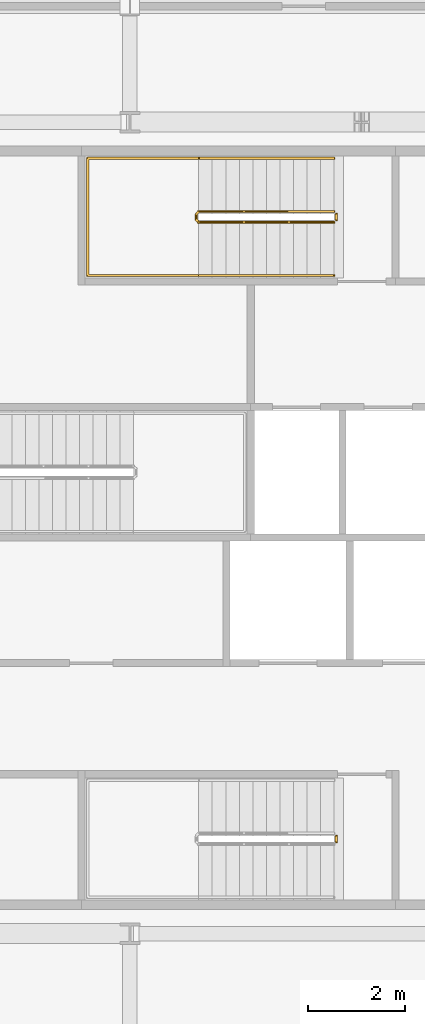
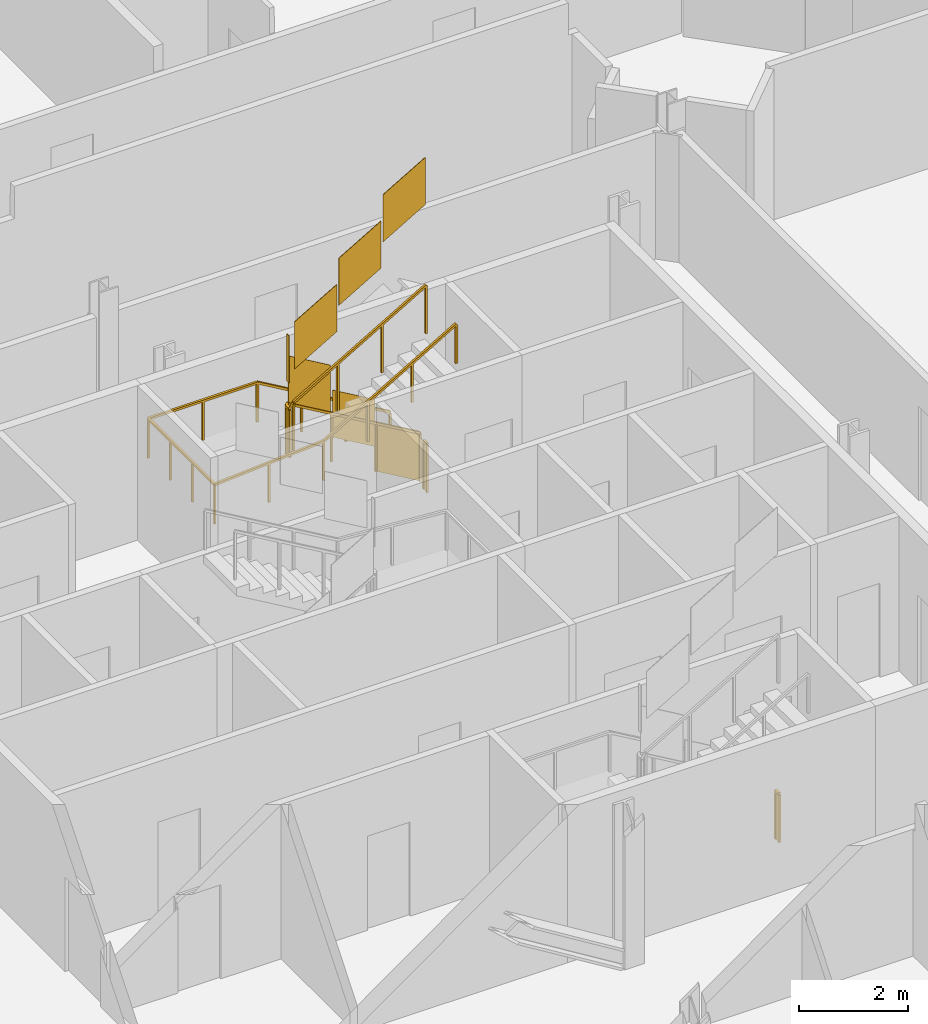
# One storey, part 18 of 20: 4 railings.
"""IFC4 building model written with IfcOpenShell, lengths in metres."""

from ifc_helpers import new_model, si_unit, direction, frame, origin, origin_2d, place, context, subcontext, project, spatial, polyline, rectangle, outline, extrude, material, type_object, element, save


model = new_model("IFC4")

# Units and contexts
model_context = context("Model", 3, precision=1e-05, world=origin(), true_north=direction((0.0, 1.0)))
body_context = subcontext(model_context, "Body", "Model", "MODEL_VIEW")
ifc_project = project(units=[si_unit("LENGTHUNIT", "METRE"), si_unit("AREAUNIT", "SQUARE_METRE"), si_unit("VOLUMEUNIT", "CUBIC_METRE"), si_unit("PLANEANGLEUNIT", "RADIAN"), si_unit("MASSUNIT", "GRAM", prefix="KILO")], contexts=[model_context])

# Site, building, storey
site_placement = place(None, origin())
site = spatial("IfcSite", under=ifc_project, at=site_placement, CompositionType="ELEMENT")
building_placement = place(site_placement, origin())
building = spatial("IfcBuilding", under=site, at=building_placement, Name="Cairn Pilgrim Tower", CompositionType="ELEMENT")
storey_placement = place(building_placement, frame((0.0, 0.0, 165.0)))
storey = spatial("IfcBuildingStorey", under=building, at=storey_placement, Name="L41", CompositionType="ELEMENT", Elevation=165.0)

# Railings
ifc_material = material(Name="Painted steel", Category="steel")
railing_type_1 = type_object("IfcRailingType", Name="STAIR GUARD 1100", PredefinedType="GUARDRAIL", material=ifc_material)
railing_1_placement = place(storey_placement, frame((11.47509765625, -3.97509765625, 0.0)))
element("IfcRailing", 1, at=railing_1_placement, inside=storey, type_object=railing_type_1, Name="L41 ST-A stair guard 2", PredefinedType="GUARDRAIL", context=body_context, shape_type="SweptSolid", body=[
    extrude(rectangle(XDim=0.048095703125, YDim=0.048095703125, at=origin_2d()), frame((0.0, 0.0, 1.076171875), z_axis=(0.0, -1.0, 0.0), x_axis=(1.0, 0.0, 0.0)), (0.0, 0.0, 1.0), 0.125),
    extrude(rectangle(XDim=0.0419921875, YDim=0.0419921875, at=origin_2d()), origin(), (0.0, 0.0, 1.0), 1.052001953125),
    extrude(rectangle(XDim=0.0419921875, YDim=0.0419921875, at=origin_2d()), frame((0.0, -0.125, 0.0)), (0.0, 0.0, 1.0), 1.052001953125),
    extrude(outline(polyline([(0.02099609375, 0.0), (0.10400390625, 0.0), (0.10400390625, 1.052001953125), (0.02099609375, 1.052001953125), (0.02099609375, 0.0)])), frame((0.005859375, 0.0, 0.0), z_axis=(-1.0, 0.0, 0.0), x_axis=(0.0, -1.0, 0.0)), (0.0, 0.0, 1.0), 0.011962890625),
])
railing_2_placement = place(storey_placement, frame((11.425048828125, 8.949951171875, 0.16357421875)))
element("IfcRailing", 2, at=railing_2_placement, inside=storey, type_object=railing_type_1, Name="L41 ST-C stair guard 1", PredefinedType="GUARDRAIL", context=body_context, shape_type="SweptSolid", body=[
    extrude(rectangle(XDim=0.048095703125, YDim=0.048095703125, at=origin_2d()), frame((0.0, 0.0, 1.076171875), z_axis=(-0.863360870873, 0.0, 0.504586966384), x_axis=(0.0, -1.0, 0.0)), (0.0, 0.0, 1.0), 3.2431640625),
    extrude(rectangle(XDim=0.048095703125, YDim=0.048095703125, at=origin_2d()), frame((-2.800048828125, 0.0, 2.71240234375), z_axis=(-0.707106781187, -0.707106781187, 0.0), x_axis=(0.707106781187, -0.707106781187, 0.0)), (0.0, 0.0, 1.0), 0.07080078125),
    extrude(rectangle(XDim=0.048095703125, YDim=0.048095703125, at=origin_2d()), frame((-2.85009765625, -0.050048828125, 2.71240234375), z_axis=(0.0, -1.0, 0.0), x_axis=(1.0, 0.0, 0.0)), (0.0, 0.0, 1.0), 0.125),
    extrude(rectangle(XDim=0.048095703125, YDim=0.048095703125, at=origin_2d()), frame((-2.85009765625, -0.175048828125, 2.71240234375), z_axis=(0.280916556609, -0.279546231943, 0.91811752648), x_axis=(0.705375805398, 0.708833529934, 0.0)), (0.0, 0.0, 1.0), 0.17822265625),
    extrude(rectangle(XDim=0.048095703125, YDim=0.048095703125, at=origin_2d()), frame((-2.800048828125, -0.224853515625, 2.8759765625), z_axis=(0.863360870873, 0.0, 0.504586966384), x_axis=(0.0, 1.0, 0.0)), (0.0, 0.0, 1.0), 3.2431640625),
    extrude(rectangle(XDim=0.0419921875, YDim=0.0419921875, at=origin_2d()), origin(), (0.0, 0.0, 1.0), 1.052001953125),
    extrude(rectangle(XDim=0.0419921875, YDim=0.0419921875, at=origin_2d()), frame((-0.933349609375, 0.0, 0.54541015625)), (0.0, 0.0, 1.0), 1.052001953125),
    extrude(rectangle(XDim=0.0419921875, YDim=0.0419921875, at=origin_2d()), frame((-1.86669921875, 0.0, 1.091064453125)), (0.0, 0.0, 1.0), 1.052001953125),
    extrude(rectangle(XDim=0.0419921875, YDim=0.0419921875, at=origin_2d()), frame((-2.800048828125, 0.0, 1.636474609375)), (0.0, 0.0, 1.0), 1.052001953125),
    extrude(rectangle(XDim=0.0419921875, YDim=0.0419921875, at=origin_2d()), frame((-2.85009765625, -0.050048828125, 1.636474609375)), (0.0, 0.0, 1.0), 1.052001953125),
    extrude(rectangle(XDim=0.0419921875, YDim=0.0419921875, at=origin_2d()), frame((-2.85009765625, -0.175048828125, 1.636474609375)), (0.0, 0.0, 1.0), 1.052001953125),
    extrude(rectangle(XDim=0.0419921875, YDim=0.0419921875, at=origin_2d()), frame((-2.800048828125, -0.224853515625, 1.800048828125)), (0.0, 0.0, 1.0), 1.052001953125),
    extrude(rectangle(XDim=0.0419921875, YDim=0.0419921875, at=origin_2d()), frame((-1.86669921875, -0.224853515625, 2.345458984375)), (0.0, 0.0, 1.0), 1.052001953125),
    extrude(rectangle(XDim=0.0419921875, YDim=0.0419921875, at=origin_2d()), frame((-0.933349609375, -0.224853515625, 2.89111328125)), (0.0, 0.0, 1.0), 1.052001953125),
    extrude(rectangle(XDim=0.0419921875, YDim=0.0419921875, at=origin_2d()), frame((0.0, -0.224853515625, 3.4365234375)), (0.0, 0.0, 1.0), 1.052001953125),
    extrude(outline(polyline([(0.02099609375, 0.01220703125), (0.912353515625, 0.533203125), (0.912353515625, 1.585205078125), (0.02099609375, 1.064208984375), (0.02099609375, 0.01220703125)])), frame((0.0, -0.005859375, 0.0), z_axis=(0.0, 1.0, 0.0), x_axis=(-1.0, 0.0, 0.0)), (0.0, 0.0, 1.0), 0.011962890625),
    extrude(outline(polyline([(0.02099609375, 0.557861328125), (0.912353515625, 1.07861328125), (0.912353515625, 2.130615234375), (0.02099609375, 1.60986328125), (0.02099609375, 0.557861328125)])), frame((-0.933349609375, -0.005859375, 0.54541015625), z_axis=(0.0, 1.0, 0.0), x_axis=(-1.0, 0.0, 0.0)), (0.0, 0.0, 1.0), 0.011962890625),
    extrude(outline(polyline([(0.02099609375, 1.103271484375), (0.912353515625, 1.624267578125), (0.912353515625, 2.67626953125), (0.02099609375, 2.1552734375), (0.02099609375, 1.103271484375)])), frame((-1.86669921875, -0.005859375, 1.091064453125), z_axis=(0.0, 1.0, 0.0), x_axis=(-1.0, 0.0, 0.0)), (0.0, 0.0, 1.0), 0.011962890625),
    extrude(outline(polyline([(0.02099609375, 1.636474609375), (0.10400390625, 1.636474609375), (0.10400390625, 2.6884765625), (0.02099609375, 2.6884765625), (0.02099609375, 1.636474609375)])), frame((-2.84423828125, -0.050048828125, 1.636474609375), z_axis=(-1.0, 0.0, 0.0), x_axis=(0.0, -1.0, 0.0)), (0.0, 0.0, 1.0), 0.011962890625),
    extrude(outline(polyline([(0.02099609375, 1.812255859375), (0.912353515625, 2.333251953125), (0.912353515625, 3.38525390625), (0.02099609375, 2.8642578125), (0.02099609375, 1.812255859375)])), frame((-2.800048828125, -0.21875, 1.800048828125), z_axis=(0.0, -1.0, 0.0), x_axis=(1.0, 0.0, 0.0)), (0.0, 0.0, 1.0), 0.011962890625),
    extrude(outline(polyline([(0.02099609375, 2.35791015625), (0.912353515625, 2.878662109375), (0.912353515625, 3.9306640625), (0.02099609375, 3.409912109375), (0.02099609375, 2.35791015625)])), frame((-1.86669921875, -0.21875, 2.345458984375), z_axis=(0.0, -1.0, 0.0), x_axis=(1.0, 0.0, 0.0)), (0.0, 0.0, 1.0), 0.011962890625),
    extrude(outline(polyline([(0.02099609375, 2.9033203125), (0.912353515625, 3.42431640625), (0.912353515625, 4.476318359375), (0.02099609375, 3.955322265625), (0.02099609375, 2.9033203125)])), frame((-0.933349609375, -0.21875, 2.89111328125), z_axis=(0.0, -1.0, 0.0), x_axis=(1.0, 0.0, 0.0)), (0.0, 0.0, 1.0), 0.011962890625),
])
railing_3_placement = place(storey_placement, frame((11.47509765625, 8.89990234375, 0.0)))
element("IfcRailing", 3, at=railing_3_placement, inside=storey, type_object=railing_type_1, Name="L41 ST-C stair guard 2", PredefinedType="GUARDRAIL", context=body_context, shape_type="SweptSolid", body=[
    extrude(rectangle(XDim=0.048095703125, YDim=0.048095703125, at=origin_2d()), frame((0.0, 0.0, 1.076171875), z_axis=(0.0, -1.0, 0.0), x_axis=(1.0, 0.0, 0.0)), (0.0, 0.0, 1.0), 0.125),
    extrude(rectangle(XDim=0.0419921875, YDim=0.0419921875, at=origin_2d()), origin(), (0.0, 0.0, 1.0), 1.052001953125),
    extrude(rectangle(XDim=0.0419921875, YDim=0.0419921875, at=origin_2d()), frame((0.0, -0.125, 0.0)), (0.0, 0.0, 1.0), 1.052001953125),
    extrude(outline(polyline([(0.02099609375, 0.0), (0.10400390625, 0.0), (0.10400390625, 1.052001953125), (0.02099609375, 1.052001953125), (0.02099609375, 0.0)])), frame((0.005859375, 0.0, 0.0), z_axis=(-1.0, 0.0, 0.0), x_axis=(0.0, -1.0, 0.0)), (0.0, 0.0, 1.0), 0.011962890625),
])
railing_type_2 = type_object("IfcRailingType", Name="STAIR HANDRAIL 900", PredefinedType="HANDRAIL", material=ifc_material)
railing_4_placement = place(storey_placement, frame((11.425048828125, 10.050048828125, 0.16357421875)))
element("IfcRailing", 4, at=railing_4_placement, inside=storey, type_object=railing_type_2, Name="L41 ST-C stair handrail 1", PredefinedType="HANDRAIL", context=body_context, shape_type="SweptSolid", body=[
    extrude(rectangle(XDim=0.048095703125, YDim=0.048095703125, at=origin_2d()), frame((0.0, 0.0, 0.8759765625), z_axis=(-0.863360870873, 0.0, 0.504586966384), x_axis=(0.0, -1.0, 0.0)), (0.0, 0.0, 1.0), 3.2431640625),
    extrude(rectangle(XDim=0.048095703125, YDim=0.048095703125, at=origin_2d()), frame((-2.800048828125, 0.0, 2.51220703125), z_axis=(-1.0, 0.0, 0.0), x_axis=(0.0, -1.0, 0.0)), (0.0, 0.0, 1.0), 2.300048828125),
    extrude(rectangle(XDim=0.048095703125, YDim=0.048095703125, at=origin_2d()), frame((-5.10009765625, 0.0, 2.51220703125), z_axis=(0.0, -1.0, 0.0), x_axis=(1.0, 0.0, 0.0)), (0.0, 0.0, 1.0), 2.425048828125),
    extrude(rectangle(XDim=0.048095703125, YDim=0.048095703125, at=origin_2d()), frame((-5.10009765625, -2.425048828125, 2.51220703125), z_axis=(0.997480687736, 0.0, 0.070938548008), x_axis=(0.0, 1.0, 0.0)), (0.0, 0.0, 1.0), 2.305908203125),
    extrude(rectangle(XDim=0.048095703125, YDim=0.048095703125, at=origin_2d()), frame((-2.800048828125, -2.425048828125, 2.67578125), z_axis=(0.863360870873, 0.0, 0.504586966384), x_axis=(0.0, 1.0, 0.0)), (0.0, 0.0, 1.0), 3.2431640625),
    extrude(rectangle(XDim=0.0419921875, YDim=0.0419921875, at=origin_2d()), origin(), (0.0, 0.0, 1.0), 0.851806640625),
    extrude(rectangle(XDim=0.0419921875, YDim=0.0419921875, at=origin_2d()), frame((-0.933349609375, 0.0, 0.54541015625)), (0.0, 0.0, 1.0), 0.851806640625),
    extrude(rectangle(XDim=0.0419921875, YDim=0.0419921875, at=origin_2d()), frame((-1.86669921875, 0.0, 1.091064453125)), (0.0, 0.0, 1.0), 0.851806640625),
    extrude(rectangle(XDim=0.0419921875, YDim=0.0419921875, at=origin_2d()), frame((-2.800048828125, 0.0, 1.636474609375)), (0.0, 0.0, 1.0), 0.851806640625),
    extrude(rectangle(XDim=0.0419921875, YDim=0.0419921875, at=origin_2d()), frame((-3.9501953125, 0.0, 1.636474609375)), (0.0, 0.0, 1.0), 0.851806640625),
    extrude(rectangle(XDim=0.0419921875, YDim=0.0419921875, at=origin_2d()), frame((-5.10009765625, 0.0, 1.636474609375)), (0.0, 0.0, 1.0), 0.851806640625),
    extrude(rectangle(XDim=0.0419921875, YDim=0.0419921875, at=origin_2d()), frame((-5.10009765625, -0.808349609375, 1.636474609375)), (0.0, 0.0, 1.0), 0.851806640625),
    extrude(rectangle(XDim=0.0419921875, YDim=0.0419921875, at=origin_2d()), frame((-5.10009765625, -1.61669921875, 1.636474609375)), (0.0, 0.0, 1.0), 0.851806640625),
    extrude(rectangle(XDim=0.0419921875, YDim=0.0419921875, at=origin_2d()), frame((-5.10009765625, -2.425048828125, 1.636474609375)), (0.0, 0.0, 1.0), 0.851806640625),
    extrude(rectangle(XDim=0.0419921875, YDim=0.0419921875, at=origin_2d()), frame((-3.9501953125, -2.425048828125, 1.71826171875)), (0.0, 0.0, 1.0), 0.851806640625),
    extrude(rectangle(XDim=0.0419921875, YDim=0.0419921875, at=origin_2d()), frame((-2.800048828125, -2.425048828125, 1.800048828125)), (0.0, 0.0, 1.0), 0.851806640625),
    extrude(rectangle(XDim=0.0419921875, YDim=0.0419921875, at=origin_2d()), frame((-1.86669921875, -2.425048828125, 2.345458984375)), (0.0, 0.0, 1.0), 0.851806640625),
    extrude(rectangle(XDim=0.0419921875, YDim=0.0419921875, at=origin_2d()), frame((-0.933349609375, -2.425048828125, 2.89111328125)), (0.0, 0.0, 1.0), 0.851806640625),
    extrude(rectangle(XDim=0.0419921875, YDim=0.0419921875, at=origin_2d()), frame((0.0, -2.425048828125, 3.4365234375)), (0.0, 0.0, 1.0), 0.851806640625),
])

save(model, "model.ifc")
